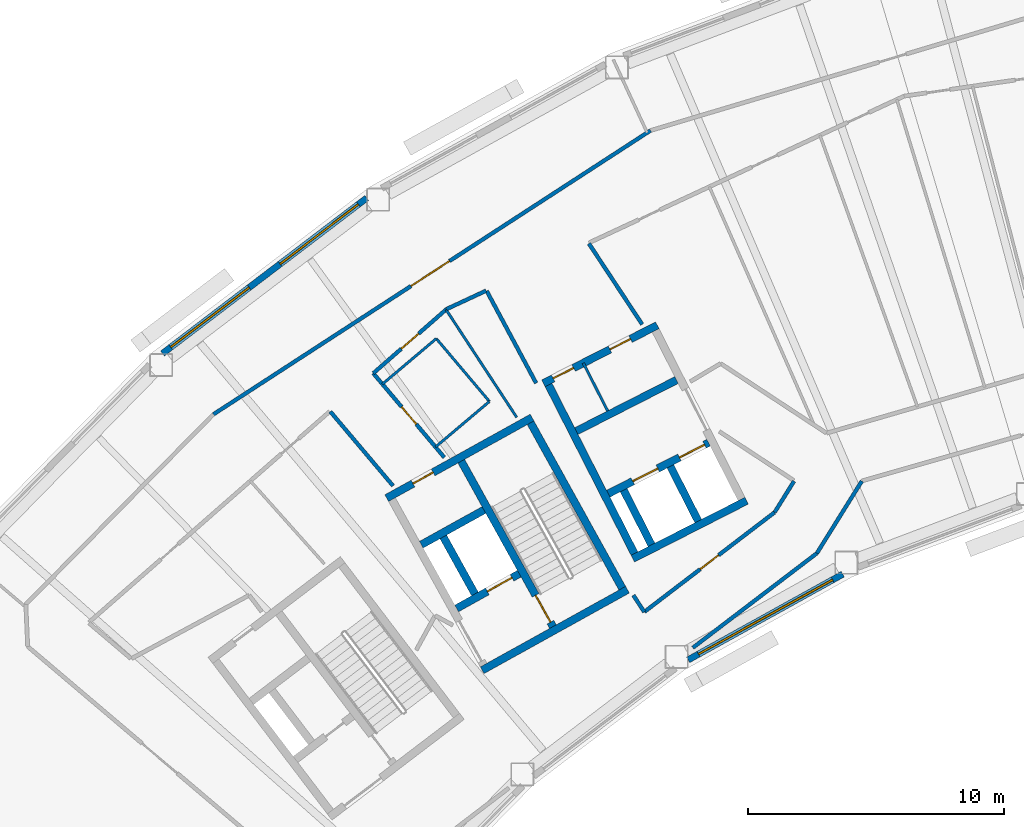
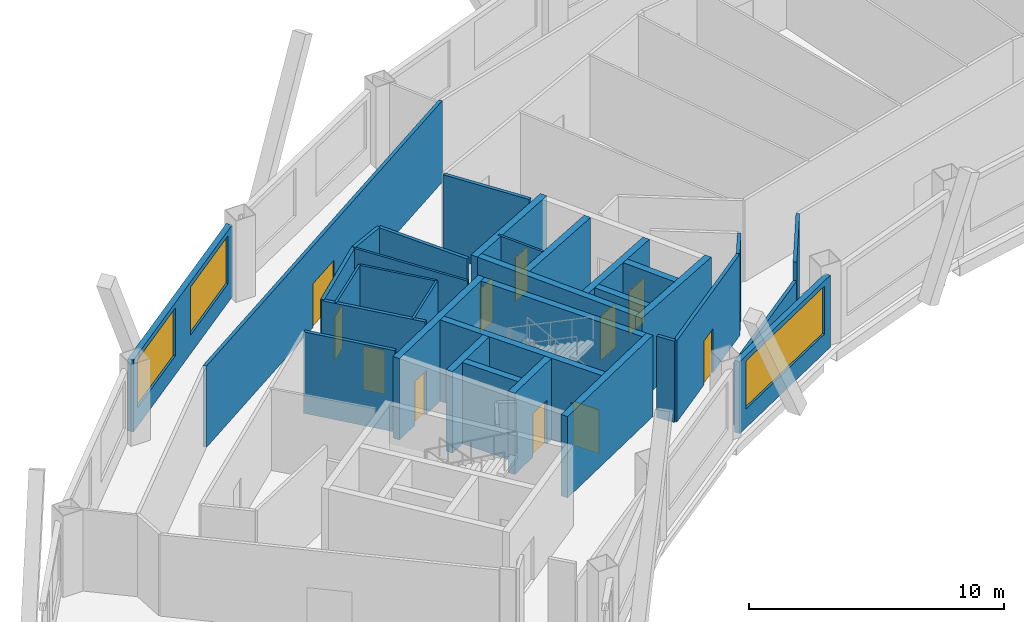
# One storey, part 6 of 15: 33 walls, 11 doors, 3 windows, 14 openings.
"""IFC4 building model written with IfcOpenShell, lengths in metres."""

from ifc_helpers import new_model, si_unit, direction, frame, frame_2d, origin, place, context, subcontext, project, spatial, rectangle, extrude, material, layer, layer_set, type_object, element, fill, save


model = new_model("IFC4")

# Units and contexts
model_context = context("Model", 3, precision=1e-05, world=origin(), true_north=direction((0.0, 1.0)))
body_context = subcontext(model_context, "Body", "Model", "MODEL_VIEW")
ifc_project = project(units=[si_unit("LENGTHUNIT", "METRE"), si_unit("AREAUNIT", "SQUARE_METRE"), si_unit("VOLUMEUNIT", "CUBIC_METRE"), si_unit("PLANEANGLEUNIT", "RADIAN"), si_unit("MASSUNIT", "GRAM", prefix="KILO")], contexts=[model_context])

# Site, building, storey
site_placement = place(None, origin())
site = spatial("IfcSite", under=ifc_project, at=site_placement, CompositionType="ELEMENT")
building_placement = place(site_placement, origin())
building = spatial("IfcBuilding", under=site, at=building_placement, Name="Tuul Gate Civic Tower", CompositionType="ELEMENT")
storey_placement = place(building_placement, frame((0.0, 0.0, 226.300048828125)))
storey = spatial("IfcBuildingStorey", under=building, at=storey_placement, Name="Level 51", CompositionType="ELEMENT", Elevation=226.300048828125)

# Wall
ifc_material_1 = material(Name="Concrete C50/60", Category="concrete")
ifc_layer_1 = layer(ifc_material_1, 0.300048828125)
ifc_layer_set_1 = layer_set([ifc_layer_1], Name="Concrete C50/60")
wall_type_1 = type_object("IfcWallType", Name="Core wall C50/60", PredefinedType="SHEAR", material=ifc_layer_set_1)
wall_1_placement = place(storey_placement, frame((-24.711669921875, -8.7158203125, 0.0), z_axis=(0.0, 0.0, 1.0), x_axis=(-0.874629909008, -0.484791215132, 0.0)))
element("IfcWall", 1, at=wall_1_placement, inside=storey, type_object=wall_type_1, Name="Core wall", PredefinedType="SHEAR", context=body_context, shape_type="SweptSolid", body=[
    extrude(rectangle(XDim=6.5, YDim=0.300048828125, at=frame_2d((3.25, 0.0))), origin(), (0.0, 0.0, 1.0), 3.89990234375),
])

# Wall, opening, door
wall_2_placement = place(storey_placement, frame((-28.94580078125, -8.090087890625, 0.0), z_axis=(0.0, 0.0, 1.0), x_axis=(-0.874629840737, -0.484791338301, 0.0)))
wall_2 = element("IfcWall", 2, at=wall_2_placement, inside=storey, type_object=wall_type_1, Name="Core wall", PredefinedType="SHEAR", context=body_context, shape_type="SweptSolid", body=[
    extrude(rectangle(XDim=2.800048828125, YDim=0.300048828125, at=frame_2d((1.39990234375, 0.0))), origin(), (0.0, 0.0, 1.0), 3.89990234375),
])
opening_1_placement = place(wall_2_placement, frame((0.324951171875, 0.0, 0.0)))
opening_1 = element("IfcOpeningElement", 3, at=opening_1_placement, cuts=wall_2, Name="Opening LD-FF-1", PredefinedType="OPENING", context=body_context, shape_type="SweptSolid", body=[
    extrude(rectangle(XDim=1.10009765625, YDim=2.10009765625, at=frame_2d((0.550048828125, 1.050048828125))), frame((0.0, 0.16015625, 0.0), z_axis=(0.0, -1.0, 0.0), x_axis=(1.0, 0.0, 0.0)), (0.0, 0.0, 1.0), 0.320068359375),
])
ifc_material_2 = material(Name="Stainless steel", Category="steel")
door_type_1 = type_object("IfcDoorType", Name="Landing door", OperationType="DOUBLE_DOOR_SLIDING", PredefinedType="DOOR", material=ifc_material_2)
door_1_placement = place(opening_1_placement, origin())
door_1 = element("IfcDoor", 4, at=door_1_placement, inside=storey, type_object=door_type_1, Name="Fire-fighting lift FF-1 landing door", OperationType="DOUBLE_DOOR_SLIDING", OverallHeight=2.10009765625, OverallWidth=1.10009765625, PredefinedType="DOOR", context=body_context, shape_type="SweptSolid", body=[
    extrude(rectangle(XDim=1.10009765625, YDim=2.10009765625, at=frame_2d((0.550048828125, 1.050048828125))), frame((0.0, 0.02490234375, 0.0), z_axis=(0.0, -1.0, 0.0), x_axis=(1.0, 0.0, 0.0)), (0.0, 0.0, 1.0), 0.050048828125),
])
fill(opening_1, door_1)

# Wall
wall_3_placement = place(storey_placement, frame((-30.327392578125, -5.59716796875, 0.0), z_axis=(0.0, 0.0, 1.0), x_axis=(-0.874629840737, -0.484791338301, 0.0)))
element("IfcWall", 5, at=wall_3_placement, inside=storey, type_object=wall_type_1, Name="Core wall", PredefinedType="SHEAR", context=body_context, shape_type="SweptSolid", body=[
    extrude(rectangle(XDim=2.800048828125, YDim=0.300048828125, at=frame_2d((1.39990234375, 0.0))), origin(), (0.0, 0.0, 1.0), 3.89990234375),
])

# Wall, opening, door
wall_4_placement = place(storey_placement, frame((-28.4443359375, -1.98095703125, 0.0), z_axis=(0.0, 0.0, 1.0), x_axis=(-0.874629909008, -0.484791215132, 0.0)))
wall_4 = element("IfcWall", 6, at=wall_4_placement, inside=storey, type_object=wall_type_1, Name="Core wall", PredefinedType="SHEAR", context=body_context, shape_type="SweptSolid", body=[
    extrude(rectangle(XDim=6.5, YDim=0.300048828125, at=frame_2d((3.25, 0.0))), origin(), (0.0, 0.0, 1.0), 3.89990234375),
])
opening_2_placement = place(wall_4_placement, frame((4.425048828125, 0.0, 0.0)))
opening_2 = element("IfcOpeningElement", 7, at=opening_2_placement, cuts=wall_4, Name="Opening R-D44", PredefinedType="OPENING", context=body_context, shape_type="SweptSolid", body=[
    extrude(rectangle(XDim=0.89990234375, YDim=2.10009765625, at=frame_2d((0.449951171875, 1.050048828125))), frame((0.0, 0.16015625, 0.0), z_axis=(0.0, -1.0, 0.0), x_axis=(1.0, 0.0, 0.0)), (0.0, 0.0, 1.0), 0.320068359375),
])
ifc_material_3 = material(Name="Timber door leaf", Category="wood")
door_type_2 = type_object("IfcDoorType", Name="Door D09", OperationType="NOTDEFINED", PredefinedType="DOOR", material=ifc_material_3)
door_2_placement = place(opening_2_placement, origin())
door_2 = element("IfcDoor", 8, at=door_2_placement, inside=storey, type_object=door_type_2, Name="Door R-D44", OperationType="SINGLE_SWING_LEFT", OverallHeight=2.10009765625, OverallWidth=0.89990234375, PredefinedType="DOOR", context=body_context, shape_type="SweptSolid", body=[
    extrude(rectangle(XDim=0.89990234375, YDim=2.10009765625, at=frame_2d((0.449951171875, 1.050048828125))), frame((0.0, 0.02490234375, 0.0), z_axis=(0.0, -1.0, 0.0), x_axis=(1.0, 0.0, 0.0)), (0.0, 0.0, 1.0), 0.050048828125),
])
fill(opening_2, door_2)

# Wall
wall_5_placement = place(storey_placement, frame((-24.91552734375, -8.6572265625, 0.0), z_axis=(0.0, 0.0, 1.0), x_axis=(-0.484777133038, 0.874637714304, 0.0)))
element("IfcWall", 9, at=wall_5_placement, inside=storey, type_object=wall_type_1, Name="Core wall", PredefinedType="SHEAR", context=body_context, shape_type="SweptSolid", body=[
    extrude(rectangle(XDim=7.400146484375, YDim=0.300048828125, at=frame_2d((3.7001953125, 0.0))), origin(), (0.0, 0.0, 1.0), 3.89990234375),
])

# Wall, opening, door
wall_6_placement = place(storey_placement, frame((-27.626953125, -10.16015625, 0.0), z_axis=(0.0, 0.0, 1.0), x_axis=(-0.484751894226, 0.874651702704, 0.0)))
wall_6 = element("IfcWall", 10, at=wall_6_placement, inside=storey, type_object=wall_type_1, Name="Core wall", PredefinedType="SHEAR", context=body_context, shape_type="SweptSolid", body=[
    extrude(rectangle(XDim=7.39990234375, YDim=0.300048828125, at=frame_2d((3.699951171875, 0.0))), origin(), (0.0, 0.0, 1.0), 3.89990234375),
])
opening_3_placement = place(wall_6_placement, frame((0.199951171875, 0.0, 0.0)))
opening_3 = element("IfcOpeningElement", 11, at=opening_3_placement, cuts=wall_6, Name="Opening SD-ST-2", PredefinedType="OPENING", context=body_context, shape_type="SweptSolid", body=[
    extrude(rectangle(XDim=1.199951171875, YDim=2.10009765625, at=frame_2d((0.60009765625, 1.050048828125))), frame((0.0, 0.16015625, 0.0), z_axis=(0.0, -1.0, 0.0), x_axis=(1.0, 0.0, 0.0)), (0.0, 0.0, 1.0), 0.320068359375),
])
ifc_material_4 = material(Name="Steel", Category="steel")
door_type_3 = type_object("IfcDoorType", Name="Stair door", OperationType="NOTDEFINED", PredefinedType="DOOR", material=ifc_material_4)
door_3_placement = place(opening_3_placement, origin())
door_3 = element("IfcDoor", 12, at=door_3_placement, inside=storey, type_object=door_type_3, Name="Stair door ST-2", OperationType="SINGLE_SWING_LEFT", OverallHeight=2.10009765625, OverallWidth=1.199951171875, PredefinedType="DOOR", context=body_context, shape_type="SweptSolid", body=[
    extrude(rectangle(XDim=1.199951171875, YDim=2.10009765625, at=frame_2d((0.60009765625, 1.050048828125))), frame((0.0, 0.02490234375, 0.0), z_axis=(0.0, -1.0, 0.0), x_axis=(1.0, 0.0, 0.0)), (0.0, 0.0, 1.0), 0.050048828125),
])
fill(opening_3, door_3)

# Wall
wall_7_placement = place(storey_placement, frame((-30.680419921875, -8.8798828125, 0.0), z_axis=(0.0, 0.0, 1.0), x_axis=(-0.484724115216, 0.874667097888, 0.0)))
element("IfcWall", 13, at=wall_7_placement, inside=storey, type_object=wall_type_1, Name="Core wall", PredefinedType="SHEAR", context=body_context, shape_type="SweptSolid", body=[
    extrude(rectangle(XDim=2.550048828125, YDim=0.300048828125, at=frame_2d((1.27490234375, 0.0))), origin(), (0.0, 0.0, 1.0), 3.89990234375),
])

# Wall, opening, door
ifc_material_5 = material(Name="Gypsum board partition")
ifc_layer_2 = layer(ifc_material_5, 0.14990234375)
ifc_layer_set_2 = layer_set([ifc_layer_2], Name="Gypsum board partition")
wall_type_2 = type_object("IfcWallType", Name="Corridor wall P150", PredefinedType="PARTITIONING", material=ifc_layer_set_2)
wall_8_placement = place(storey_placement, frame((-40.91259765625, -1.85595703125, 0.0), z_axis=(0.0, 0.0, 1.0), x_axis=(0.838694654804, 0.54460194271, 0.0)))
wall_8 = element("IfcWall", 14, at=wall_8_placement, inside=storey, type_object=wall_type_2, Name="p014", PredefinedType="PARTITIONING", context=body_context, shape_type="SweptSolid", body=[
    extrude(rectangle(XDim=20.39013671875, YDim=0.14990234375, at=frame_2d((10.195068359375, 0.0))), origin(), (0.0, 0.0, 1.0), 3.89990234375),
])
opening_4_placement = place(wall_8_placement, frame((9.218017578125, 0.0, 0.0)))
opening_4 = element("IfcOpeningElement", 15, at=opening_4_placement, cuts=wall_8, Name="Opening R-D05", PredefinedType="OPENING", context=body_context, shape_type="SweptSolid", body=[
    extrude(rectangle(XDim=1.800048828125, YDim=2.10009765625, at=frame_2d((0.89990234375, 1.050048828125))), frame((0.0, 0.0849609375, 0.0), z_axis=(0.0, -1.0, 0.0), x_axis=(1.0, 0.0, 0.0)), (0.0, 0.0, 1.0), 0.169921875),
])
ifc_material_6 = material(Name="Timber door leaf, double", Category="wood")
door_type_4 = type_object("IfcDoorType", Name="Door D18", OperationType="DOUBLE_DOOR_SINGLE_SWING", PredefinedType="DOOR", material=ifc_material_6)
door_4_placement = place(opening_4_placement, origin())
door_4 = element("IfcDoor", 16, at=door_4_placement, inside=storey, type_object=door_type_4, Name="Door R-D05", OperationType="DOUBLE_DOOR_SINGLE_SWING", OverallHeight=2.10009765625, OverallWidth=1.800048828125, PredefinedType="DOOR", context=body_context, shape_type="SweptSolid", body=[
    extrude(rectangle(XDim=1.800048828125, YDim=2.10009765625, at=frame_2d((0.89990234375, 1.050048828125))), frame((0.0, 0.02490234375, 0.0), z_axis=(0.0, -1.0, 0.0), x_axis=(1.0, 0.0, 0.0)), (0.0, 0.0, 1.0), 0.050048828125),
])
fill(opening_4, door_4)

# Walls
wall_9_placement = place(storey_placement, frame((-17.30126953125, -7.2890625, 0.0), z_axis=(0.0, 0.0, 1.0), x_axis=(0.528856076926, 0.848711523368, 0.0)))
element("IfcWall", 17, at=wall_9_placement, inside=storey, type_object=wall_type_2, Name="p039", PredefinedType="PARTITIONING", context=body_context, shape_type="SweptSolid", body=[
    extrude(rectangle(XDim=3.3232421875, YDim=0.14990234375, at=frame_2d((1.66162109375, 0.0))), origin(), (0.0, 0.0, 1.0), 3.89990234375),
])
wall_10_placement = place(storey_placement, frame((-31.78955078125, 2.26220703125, 0.0), z_axis=(0.0, 0.0, 1.0), x_axis=(0.906552739591, 0.422092561341, 0.0)))
element("IfcWall", 18, at=wall_10_placement, inside=storey, type_object=wall_type_2, Name="p082", PredefinedType="PARTITIONING", context=body_context, shape_type="SweptSolid", body=[
    extrude(rectangle(XDim=1.702880859375, YDim=0.14990234375, at=frame_2d((0.8515625, 0.0))), origin(), (0.0, 0.0, 1.0), 3.89990234375),
])
wall_11_placement = place(storey_placement, frame((-26.22119140625, 4.828857421875, 0.0), z_axis=(0.0, 0.0, 1.0), x_axis=(0.550321528377, -0.834952822263, 0.0)))
element("IfcWall", 19, at=wall_11_placement, inside=storey, type_object=wall_type_2, Name="p087", PredefinedType="PARTITIONING", context=body_context, shape_type="SweptSolid", body=[
    extrude(rectangle(XDim=3.78955078125, YDim=0.14990234375, at=frame_2d((1.894775390625, 0.0))), origin(), (0.0, 0.0, 1.0), 3.89990234375),
])
wall_12_placement = place(storey_placement, frame((-24.482421875, -8.931640625, 0.0), z_axis=(0.0, 0.0, 1.0), x_axis=(0.548342642764, -0.836253757018, 0.0)))
element("IfcWall", 20, at=wall_12_placement, inside=storey, type_object=wall_type_2, Name="p089", PredefinedType="PARTITIONING", context=body_context, shape_type="SweptSolid", body=[
    extrude(rectangle(XDim=0.78173828125, YDim=0.14990234375, at=frame_2d((0.390869140625, 0.0))), origin(), (0.0, 0.0, 1.0), 3.89990234375),
])

# Wall, opening, door
wall_13_placement = place(storey_placement, frame((-34.65625, -0.24853515625, 0.0), z_axis=(0.0, 0.0, 1.0), x_axis=(0.752267052032, 0.658858317416, 0.0)))
wall_13 = element("IfcWall", 21, at=wall_13_placement, inside=storey, type_object=wall_type_2, Name="p091", PredefinedType="PARTITIONING", context=body_context, shape_type="SweptSolid", body=[
    extrude(rectangle(XDim=3.810791015625, YDim=0.14990234375, at=frame_2d((1.9052734375, 0.0))), origin(), (0.0, 0.0, 1.0), 3.89990234375),
])
opening_5_placement = place(wall_13_placement, frame((1.455322265625, 0.0, 0.0)))
opening_5 = element("IfcOpeningElement", 22, at=opening_5_placement, cuts=wall_13, Name="Opening R-D42", PredefinedType="OPENING", context=body_context, shape_type="SweptSolid", body=[
    extrude(rectangle(XDim=0.89990234375, YDim=2.10009765625, at=frame_2d((0.449951171875, 1.050048828125))), frame((0.0, 0.0849609375, 0.0), z_axis=(0.0, -1.0, 0.0), x_axis=(1.0, 0.0, 0.0)), (0.0, 0.0, 1.0), 0.169921875),
])
door_5_placement = place(opening_5_placement, origin())
door_5 = element("IfcDoor", 23, at=door_5_placement, inside=storey, type_object=door_type_2, Name="Door R-D42", OperationType="SINGLE_SWING_RIGHT", OverallHeight=2.10009765625, OverallWidth=0.89990234375, PredefinedType="DOOR", context=body_context, shape_type="SweptSolid", body=[
    extrude(rectangle(XDim=0.89990234375, YDim=2.10009765625, at=frame_2d((0.449951171875, 1.050048828125))), frame((0.0, 0.02490234375, 0.0), z_axis=(0.0, -1.0, 0.0), x_axis=(1.0, 0.0, 0.0)), (0.0, 0.0, 1.0), 0.050048828125),
])
fill(opening_5, door_5)

# Walls
wall_14_placement = place(storey_placement, frame((-30.21923828125, 2.971923828125, 0.0), z_axis=(0.0, 0.0, 1.0), x_axis=(0.472839183622, -0.881148742513, 0.0)))
element("IfcWall", 24, at=wall_14_placement, inside=storey, type_object=wall_type_2, Name="p092", PredefinedType="PARTITIONING", context=body_context, shape_type="SweptSolid", body=[
    extrude(rectangle(XDim=4.08984375, YDim=0.14990234375, at=frame_2d((2.044921875, 0.0))), origin(), (0.0, 0.0, 1.0), 3.89990234375),
])
wall_15_placement = place(storey_placement, frame((-18.952392578125, -5.684326171875, 0.0), z_axis=(0.0, 0.0, 1.0), x_axis=(0.528862582225, 0.848707469699, 0.0)))
element("IfcWall", 25, at=wall_15_placement, inside=storey, type_object=wall_type_2, Name="p094", PredefinedType="PARTITIONING", context=body_context, shape_type="SweptSolid", body=[
    extrude(rectangle(XDim=1.4296875, YDim=0.14990234375, at=frame_2d((0.71484375, 0.0))), origin(), (0.0, 0.0, 1.0), 3.89990234375),
])

# Wall, opening, door
wall_16_placement = place(storey_placement, frame((-24.0537109375, -9.58544921875, 0.0), z_axis=(0.0, 0.0, 1.0), x_axis=(0.794499344457, 0.607265009413, 0.0)))
wall_16 = element("IfcWall", 26, at=wall_16_placement, inside=storey, type_object=wall_type_2, Name="p095", PredefinedType="PARTITIONING", context=body_context, shape_type="SweptSolid", body=[
    extrude(rectangle(XDim=6.4140625, YDim=0.14990234375, at=frame_2d((3.20703125, 0.0))), origin(), (0.0, 0.0, 1.0), 3.89990234375),
])
opening_6_placement = place(wall_16_placement, frame((2.757080078125, 0.0, 0.0)))
opening_6 = element("IfcOpeningElement", 27, at=opening_6_placement, cuts=wall_16, Name="Opening R-D34", PredefinedType="OPENING", context=body_context, shape_type="SweptSolid", body=[
    extrude(rectangle(XDim=0.89990234375, YDim=2.10009765625, at=frame_2d((0.449951171875, 1.050048828125))), frame((0.0, 0.0849609375, 0.0), z_axis=(0.0, -1.0, 0.0), x_axis=(1.0, 0.0, 0.0)), (0.0, 0.0, 1.0), 0.169921875),
])
door_6_placement = place(opening_6_placement, origin())
door_6 = element("IfcDoor", 28, at=door_6_placement, inside=storey, type_object=door_type_2, Name="Door R-D34", OperationType="SINGLE_SWING_RIGHT", OverallHeight=2.10009765625, OverallWidth=0.89990234375, PredefinedType="DOOR", context=body_context, shape_type="SweptSolid", body=[
    extrude(rectangle(XDim=0.89990234375, YDim=2.10009765625, at=frame_2d((0.449951171875, 1.050048828125))), frame((0.0, 0.02490234375, 0.0), z_axis=(0.0, -1.0, 0.0), x_axis=(1.0, 0.0, 0.0)), (0.0, 0.0, 1.0), 0.050048828125),
])
fill(opening_6, door_6)

wall_17_placement = place(storey_placement, frame((-34.65625, -0.24853515625, 0.0), z_axis=(0.0, 0.0, 1.0), x_axis=(0.645164646928, -0.764043570979, 0.0)))
wall_17 = element("IfcWall", 29, at=wall_17_placement, inside=storey, type_object=wall_type_2, Name="p097", PredefinedType="PARTITIONING", context=body_context, shape_type="SweptSolid", body=[
    extrude(rectangle(XDim=4.30859375, YDim=0.14990234375, at=frame_2d((2.154296875, 0.0))), origin(), (0.0, 0.0, 1.0), 3.89990234375),
])
opening_7_placement = place(wall_17_placement, frame((1.714111328125, 0.0, 0.0)))
opening_7 = element("IfcOpeningElement", 30, at=opening_7_placement, cuts=wall_17, Name="Opening R-D35", PredefinedType="OPENING", context=body_context, shape_type="SweptSolid", body=[
    extrude(rectangle(XDim=0.89990234375, YDim=2.10009765625, at=frame_2d((0.449951171875, 1.050048828125))), frame((0.0, 0.0849609375, 0.0), z_axis=(0.0, -1.0, 0.0), x_axis=(1.0, 0.0, 0.0)), (0.0, 0.0, 1.0), 0.169921875),
])
door_7_placement = place(opening_7_placement, origin())
door_7 = element("IfcDoor", 31, at=door_7_placement, inside=storey, type_object=door_type_2, Name="Door R-D35", OperationType="SINGLE_SWING_RIGHT", OverallHeight=2.10009765625, OverallWidth=0.89990234375, PredefinedType="DOOR", context=body_context, shape_type="SweptSolid", body=[
    extrude(rectangle(XDim=0.89990234375, YDim=2.10009765625, at=frame_2d((0.449951171875, 1.050048828125))), frame((0.0, 0.02490234375, 0.0), z_axis=(0.0, -1.0, 0.0), x_axis=(1.0, 0.0, 0.0)), (0.0, 0.0, 1.0), 0.050048828125),
])
fill(opening_7, door_7)

# Walls
wall_18_placement = place(storey_placement, frame((-36.335693359375, -1.747314453125, 0.0), z_axis=(0.0, 0.0, 1.0), x_axis=(0.645204975868, -0.764009515069, 0.0)))
element("IfcWall", 32, at=wall_18_placement, inside=storey, type_object=wall_type_2, Name="p102", PredefinedType="PARTITIONING", context=body_context, shape_type="SweptSolid", body=[
    extrude(rectangle(XDim=3.8017578125, YDim=0.14990234375, at=frame_2d((1.90087890625, 0.0))), origin(), (0.0, 0.0, 1.0), 3.89990234375),
])
ifc_material_7 = material(Name="Gypsum board partition")
ifc_layer_3 = layer(ifc_material_7, 0.14990234375)
ifc_layer_set_3 = layer_set([ifc_layer_3], Name="Gypsum board partition")
wall_type_3 = type_object("IfcWallType", Name="Corridor wall P150 3000 HIGH", PredefinedType="PARTITIONING", material=ifc_layer_set_3)
wall_19_placement = place(storey_placement, frame((-22.156005859375, -10.98828125, 0.0), z_axis=(0.0, 0.0, 1.0), x_axis=(0.795349073888, 0.606151672988, 0.0)))
element("IfcWall", 33, at=wall_19_placement, inside=storey, type_object=wall_type_3, Name="p023", PredefinedType="PARTITIONING", context=body_context, shape_type="SweptSolid", body=[
    extrude(rectangle(XDim=6.103515625, YDim=0.14990234375, at=frame_2d((3.0517578125, 0.0))), origin(), (0.0, 0.0, 1.0), 3.0),
])

# Wall, openings, windows
ifc_material_8 = material(Name="Precast concrete C40/50", Category="concrete")
ifc_layer_4 = layer(ifc_material_8, 0.25)
ifc_layer_set_4 = layer_set([ifc_layer_4], Name="Precast concrete C40/50")
wall_type_4 = type_object("IfcWallType", Name="External wall", PredefinedType="STANDARD", material=ifc_layer_set_4)
wall_20_placement = place(storey_placement, frame((-34.9130859375, 6.608642578125, 0.0), z_axis=(0.0, 0.0, 1.0), x_axis=(-0.795599673756, -0.605822712615, 0.0)))
wall_20 = element("IfcWall", 34, at=wall_20_placement, inside=storey, type_object=wall_type_4, Name="External wall", PredefinedType="STANDARD", context=body_context, shape_type="SweptSolid", body=[
    extrude(rectangle(XDim=10.0419921875, YDim=0.25, at=frame_2d((5.02099609375, 0.0))), origin(), (0.0, 0.0, 1.0), 3.449951171875),
])
opening_8_placement = place(wall_20_placement, frame((0.4091796875, 0.0, 0.89990234375)))
opening_8 = element("IfcOpeningElement", 35, at=opening_8_placement, cuts=wall_20, Name="Opening W22", PredefinedType="OPENING", context=body_context, shape_type="SweptSolid", body=[
    extrude(rectangle(XDim=3.85009765625, YDim=2.300048828125, at=frame_2d((1.925048828125, 1.14990234375))), frame((0.0, 0.135009765625, 0.0), z_axis=(0.0, -1.0, 0.0), x_axis=(1.0, 0.0, 0.0)), (0.0, 0.0, 1.0), 0.27001953125),
])
opening_9_placement = place(wall_20_placement, frame((5.780517578125, 0.0, 0.89990234375)))
opening_9 = element("IfcOpeningElement", 36, at=opening_9_placement, cuts=wall_20, Name="Opening W22", PredefinedType="OPENING", context=body_context, shape_type="SweptSolid", body=[
    extrude(rectangle(XDim=3.85009765625, YDim=2.300048828125, at=frame_2d((1.925048828125, 1.14990234375))), frame((0.0, 0.135009765625, 0.0), z_axis=(0.0, -1.0, 0.0), x_axis=(1.0, 0.0, 0.0)), (0.0, 0.0, 1.0), 0.27001953125),
])
ifc_material_9 = material(Name="Glass", Category="glass")
window_type_1 = type_object("IfcWindowType", Name="Window W22 3850 x 2300", PartitioningType="SINGLE_PANEL", PredefinedType="WINDOW", material=ifc_material_9)
window_1_placement = place(opening_8_placement, origin())
window_1 = element("IfcWindow", 37, at=window_1_placement, inside=storey, type_object=window_type_1, Name="Window", OverallHeight=2.300048828125, OverallWidth=3.85009765625, PartitioningType="SINGLE_PANEL", PredefinedType="WINDOW", context=body_context, shape_type="SweptSolid", body=[
    extrude(rectangle(XDim=3.85009765625, YDim=2.300048828125, at=frame_2d((1.925048828125, 1.14990234375))), frame((0.0, 0.030029296875, 0.0), z_axis=(0.0, -1.0, 0.0), x_axis=(1.0, 0.0, 0.0)), (0.0, 0.0, 1.0), 0.06005859375),
])
fill(opening_8, window_1)
window_2_placement = place(opening_9_placement, origin())
window_2 = element("IfcWindow", 38, at=window_2_placement, inside=storey, type_object=window_type_1, Name="Window", OverallHeight=2.300048828125, OverallWidth=3.85009765625, PartitioningType="SINGLE_PANEL", PredefinedType="WINDOW", context=body_context, shape_type="SweptSolid", body=[
    extrude(rectangle(XDim=3.85009765625, YDim=2.300048828125, at=frame_2d((1.925048828125, 1.14990234375))), frame((0.0, 0.030029296875, 0.0), z_axis=(0.0, -1.0, 0.0), x_axis=(1.0, 0.0, 0.0)), (0.0, 0.0, 1.0), 0.06005859375),
])
fill(opening_9, window_2)

# Wall, opening, window
wall_21_placement = place(storey_placement, frame((-22.3369140625, -11.46044921875, 0.0), z_axis=(0.0, 0.0, 1.0), x_axis=(0.874618182136, 0.484812371416, 0.0)))
wall_21 = element("IfcWall", 39, at=wall_21_placement, inside=storey, type_object=wall_type_4, Name="External wall", PredefinedType="STANDARD", context=body_context, shape_type="SweptSolid", body=[
    extrude(rectangle(XDim=6.9150390625, YDim=0.25, at=frame_2d((3.45751953125, 0.0))), origin(), (0.0, 0.0, 1.0), 3.449951171875),
])
opening_10_placement = place(wall_21_placement, frame((0.4619140625, 0.0, 0.89990234375)))
opening_10 = element("IfcOpeningElement", 40, at=opening_10_placement, cuts=wall_21, Name="Opening W26", PredefinedType="OPENING", context=body_context, shape_type="SweptSolid", body=[
    extrude(rectangle(XDim=6.0, YDim=2.300048828125, at=frame_2d((3.0, 1.14990234375))), frame((0.0, 0.135009765625, 0.0), z_axis=(0.0, -1.0, 0.0), x_axis=(1.0, 0.0, 0.0)), (0.0, 0.0, 1.0), 0.27001953125),
])
ifc_material_10 = material(Name="Glass", Category="glass")
window_type_2 = type_object("IfcWindowType", Name="Window W26 6000 x 2300", PartitioningType="SINGLE_PANEL", PredefinedType="WINDOW", material=ifc_material_10)
window_3_placement = place(opening_10_placement, origin())
window_3 = element("IfcWindow", 41, at=window_3_placement, inside=storey, type_object=window_type_2, Name="Window", OverallHeight=2.300048828125, OverallWidth=6.0, PartitioningType="SINGLE_PANEL", PredefinedType="WINDOW", context=body_context, shape_type="SweptSolid", body=[
    extrude(rectangle(XDim=6.0, YDim=2.300048828125, at=frame_2d((3.0, 1.14990234375))), frame((0.0, 0.030029296875, 0.0), z_axis=(0.0, -1.0, 0.0), x_axis=(1.0, 0.0, 0.0)), (0.0, 0.0, 1.0), 0.06005859375),
])
fill(opening_10, window_3)

# Wall
ifc_material_11 = material(Name="Concrete C40/50", Category="concrete")
ifc_layer_5 = layer(ifc_material_11, 0.300048828125)
ifc_layer_set_5 = layer_set([ifc_layer_5], Name="Concrete C40/50")
wall_type_5 = type_object("IfcWallType", Name="Lift shaft wall C40/50", PredefinedType="STANDARD", material=ifc_layer_set_5)
wall_22_placement = place(storey_placement, frame((-20.049072265625, -5.232421875, 0.0), z_axis=(0.0, 0.0, 1.0), x_axis=(-0.891002976909, -0.453997461601, 0.0)))
element("IfcWall", 42, at=wall_22_placement, inside=storey, type_object=wall_type_5, Name="Shaft wall", PredefinedType="STANDARD", context=body_context, shape_type="SweptSolid", body=[
    extrude(rectangle(XDim=5.0, YDim=0.300048828125, at=frame_2d((2.5, 0.0))), origin(), (0.0, 0.0, 1.0), 3.89990234375),
])

# Wall, openings, doors
wall_23_placement = place(storey_placement, frame((-21.542236328125, -2.962890625, 0.0), z_axis=(0.0, 0.0, 1.0), x_axis=(-0.891005618941, -0.453992276384, 0.0)))
wall_23 = element("IfcWall", 43, at=wall_23_placement, inside=storey, type_object=wall_type_5, Name="Shaft wall", PredefinedType="STANDARD", context=body_context, shape_type="SweptSolid", body=[
    extrude(rectangle(XDim=4.39990234375, YDim=0.300048828125, at=frame_2d((2.199951171875, 0.0))), origin(), (0.0, 0.0, 1.0), 3.89990234375),
])
opening_11_placement = place(wall_23_placement, frame((0.175048828125, 0.0, 0.0)))
opening_11 = element("IfcOpeningElement", 44, at=opening_11_placement, cuts=wall_23, Name="Opening LD-M1", PredefinedType="OPENING", context=body_context, shape_type="SweptSolid", body=[
    extrude(rectangle(XDim=1.10009765625, YDim=2.10009765625, at=frame_2d((0.550048828125, 1.050048828125))), frame((0.0, 0.16015625, 0.0), z_axis=(0.0, -1.0, 0.0), x_axis=(1.0, 0.0, 0.0)), (0.0, 0.0, 1.0), 0.320068359375),
])
opening_12_placement = place(wall_23_placement, frame((2.22509765625, 0.0, 0.0)))
opening_12 = element("IfcOpeningElement", 45, at=opening_12_placement, cuts=wall_23, Name="Opening LD-M2", PredefinedType="OPENING", context=body_context, shape_type="SweptSolid", body=[
    extrude(rectangle(XDim=1.10009765625, YDim=2.10009765625, at=frame_2d((0.550048828125, 1.050048828125))), frame((0.0, 0.16015625, 0.0), z_axis=(0.0, -1.0, 0.0), x_axis=(1.0, 0.0, 0.0)), (0.0, 0.0, 1.0), 0.320068359375),
])
door_8_placement = place(opening_11_placement, origin())
door_8 = element("IfcDoor", 46, at=door_8_placement, inside=storey, type_object=door_type_1, Name="Mid-rise lift M1 landing door", OperationType="DOUBLE_DOOR_SLIDING", OverallHeight=2.10009765625, OverallWidth=1.10009765625, PredefinedType="DOOR", context=body_context, shape_type="SweptSolid", body=[
    extrude(rectangle(XDim=1.10009765625, YDim=2.10009765625, at=frame_2d((0.550048828125, 1.050048828125))), frame((0.0, 0.02490234375, 0.0), z_axis=(0.0, -1.0, 0.0), x_axis=(1.0, 0.0, 0.0)), (0.0, 0.0, 1.0), 0.050048828125),
])
fill(opening_11, door_8)
door_9_placement = place(opening_12_placement, origin())
door_9 = element("IfcDoor", 47, at=door_9_placement, inside=storey, type_object=door_type_1, Name="Mid-rise lift M2 landing door", OperationType="DOUBLE_DOOR_SLIDING", OverallHeight=2.10009765625, OverallWidth=1.10009765625, PredefinedType="DOOR", context=body_context, shape_type="SweptSolid", body=[
    extrude(rectangle(XDim=1.10009765625, YDim=2.10009765625, at=frame_2d((0.550048828125, 1.050048828125))), frame((0.0, 0.02490234375, 0.0), z_axis=(0.0, -1.0, 0.0), x_axis=(1.0, 0.0, 0.0)), (0.0, 0.0, 1.0), 0.050048828125),
])
fill(opening_12, door_9)

# Wall
wall_24_placement = place(storey_placement, frame((-22.790771484375, -0.5126953125, 0.0), z_axis=(0.0, 0.0, 1.0), x_axis=(-0.891005618941, -0.453992276384, 0.0)))
element("IfcWall", 48, at=wall_24_placement, inside=storey, type_object=wall_type_5, Name="Shaft wall", PredefinedType="STANDARD", context=body_context, shape_type="SweptSolid", body=[
    extrude(rectangle(XDim=4.39990234375, YDim=0.300048828125, at=frame_2d((2.199951171875, 0.0))), origin(), (0.0, 0.0, 1.0), 3.89990234375),
])

# Wall, openings, doors
wall_25_placement = place(storey_placement, frame((-23.544921875, 1.62841796875, 0.0), z_axis=(0.0, 0.0, 1.0), x_axis=(-0.891002976909, -0.453997461601, 0.0)))
wall_25 = element("IfcWall", 49, at=wall_25_placement, inside=storey, type_object=wall_type_5, Name="Shaft wall", PredefinedType="STANDARD", context=body_context, shape_type="SweptSolid", body=[
    extrude(rectangle(XDim=5.0, YDim=0.300048828125, at=frame_2d((2.5, 0.0))), origin(), (0.0, 0.0, 1.0), 3.89990234375),
])
opening_13_placement = place(wall_25_placement, frame((1.175048828125, 0.0, 0.0)))
opening_13 = element("IfcOpeningElement", 50, at=opening_13_placement, cuts=wall_25, Name="Opening R-D49", PredefinedType="OPENING", context=body_context, shape_type="SweptSolid", body=[
    extrude(rectangle(XDim=0.89990234375, YDim=2.10009765625, at=frame_2d((0.449951171875, 1.050048828125))), frame((0.0, 0.16015625, 0.0), z_axis=(0.0, -1.0, 0.0), x_axis=(1.0, 0.0, 0.0)), (0.0, 0.0, 1.0), 0.320068359375),
])
opening_14_placement = place(wall_25_placement, frame((3.675048828125, 0.0, 0.0)))
opening_14 = element("IfcOpeningElement", 51, at=opening_14_placement, cuts=wall_25, Name="Opening R-D50", PredefinedType="OPENING", context=body_context, shape_type="SweptSolid", body=[
    extrude(rectangle(XDim=0.89990234375, YDim=2.10009765625, at=frame_2d((0.449951171875, 1.050048828125))), frame((0.0, 0.16015625, 0.0), z_axis=(0.0, -1.0, 0.0), x_axis=(1.0, 0.0, 0.0)), (0.0, 0.0, 1.0), 0.320068359375),
])
door_10_placement = place(opening_13_placement, origin())
door_10 = element("IfcDoor", 52, at=door_10_placement, inside=storey, type_object=door_type_2, Name="Door R-D49", OperationType="SINGLE_SWING_RIGHT", OverallHeight=2.10009765625, OverallWidth=0.89990234375, PredefinedType="DOOR", context=body_context, shape_type="SweptSolid", body=[
    extrude(rectangle(XDim=0.89990234375, YDim=2.10009765625, at=frame_2d((0.449951171875, 1.050048828125))), frame((0.0, 0.02490234375, 0.0), z_axis=(0.0, -1.0, 0.0), x_axis=(1.0, 0.0, 0.0)), (0.0, 0.0, 1.0), 0.050048828125),
])
fill(opening_13, door_10)
door_11_placement = place(opening_14_placement, origin())
door_11 = element("IfcDoor", 53, at=door_11_placement, inside=storey, type_object=door_type_2, Name="Door R-D50", OperationType="SINGLE_SWING_LEFT", OverallHeight=2.10009765625, OverallWidth=0.89990234375, PredefinedType="DOOR", context=body_context, shape_type="SweptSolid", body=[
    extrude(rectangle(XDim=0.89990234375, YDim=2.10009765625, at=frame_2d((0.449951171875, 1.050048828125))), frame((0.0, 0.02490234375, 0.0), z_axis=(0.0, -1.0, 0.0), x_axis=(1.0, 0.0, 0.0)), (0.0, 0.0, 1.0), 0.050048828125),
])
fill(opening_14, door_11)

# Walls
for number, where, z_axis, x_axis, name in (
    (54, (-21.94384765625, -6.029296875, 0.0), (0.0, 0.0, 1.0), (-0.45403702923, 0.890982814698, 0.0), "Shaft wall"),
    (55, (-23.770263671875, -6.960205078125, 0.0), (0.0, 0.0, 1.0), (-0.45399587725, 0.891003784189, 0.0), "Shaft wall"),
):
    element("IfcWall", number, at=place(storey_placement, frame(where, z_axis=z_axis, x_axis=x_axis)), inside=storey, type_object=wall_type_5, Name=name, PredefinedType="STANDARD", context=body_context, shape_type="SweptSolid", body=[
        extrude(rectangle(XDim=2.39990234375, YDim=0.300048828125, at=frame_2d((1.199951171875, 0.0))), origin(), (0.0, 0.0, 1.0), 3.89990234375),
    ])
wall_26_placement = place(storey_placement, frame((-24.438720703125, -7.300537109375, 0.0), z_axis=(0.0, 0.0, 1.0), x_axis=(-0.453984101083, 0.891009784438, 0.0)))
element("IfcWall", 56, at=wall_26_placement, inside=storey, type_object=wall_type_5, Name="Shaft wall", PredefinedType="STANDARD", context=body_context, shape_type="SweptSolid", body=[
    extrude(rectangle(XDim=7.399658203125, YDim=0.300048828125, at=frame_2d((3.69970703125, 0.0))), origin(), (0.0, 0.0, 1.0), 3.89990234375),
])
ifc_material_12 = material(Name="Gypsum board partition")
ifc_layer_6 = layer(ifc_material_12, 0.10009765625)
ifc_layer_set_6 = layer_set([ifc_layer_6], Name="Gypsum board partition")
wall_type_6 = type_object("IfcWallType", Name="Partition P100", PredefinedType="PARTITIONING", material=ifc_layer_set_6)
wall_27_placement = place(storey_placement, frame((-31.809814453125, 2.244384765625, 0.0), z_axis=(0.0, 0.0, 1.0), x_axis=(0.54831365658, -0.836272762924, 0.0)))
element("IfcWall", 57, at=wall_27_placement, inside=storey, type_object=wall_type_6, Name="p096", PredefinedType="PARTITIONING", context=body_context, shape_type="SweptSolid", body=[
    extrude(rectangle(XDim=5.041259765625, YDim=0.10009765625, at=frame_2d((2.5205078125, 0.0))), origin(), (0.0, 0.0, 1.0), 3.89990234375),
])
wall_28_placement = place(storey_placement, frame((-34.298828125, -0.671875, 0.0), z_axis=(0.0, 0.0, 1.0), x_axis=(0.7640066599, 0.645208356757, 0.0)))
element("IfcWall", 58, at=wall_28_placement, inside=storey, type_object=wall_type_6, Name="p098", PredefinedType="PARTITIONING", context=body_context, shape_type="SweptSolid", body=[
    extrude(rectangle(XDim=2.760009765625, YDim=0.10009765625, at=frame_2d((1.3798828125, 0.0))), origin(), (0.0, 0.0, 1.0), 3.89990234375),
])
wall_29_placement = place(storey_placement, frame((-32.190185546875, 1.10888671875, 0.0), z_axis=(0.0, 0.0, 1.0), x_axis=(0.645204421607, -0.764009983141, 0.0)))
element("IfcWall", 59, at=wall_29_placement, inside=storey, type_object=wall_type_6, Name="p099", PredefinedType="PARTITIONING", context=body_context, shape_type="SweptSolid", body=[
    extrude(rectangle(XDim=3.22021484375, YDim=0.10009765625, at=frame_2d((1.610107421875, 0.0))), origin(), (0.0, 0.0, 1.0), 3.89990234375),
])
wall_30_placement = place(storey_placement, frame((-32.221435546875, -3.132080078125, 0.0), z_axis=(0.0, 0.0, 1.0), x_axis=(0.764043480441, 0.645164754149, 0.0)))
element("IfcWall", 60, at=wall_30_placement, inside=storey, type_object=wall_type_6, Name="p100", PredefinedType="PARTITIONING", context=body_context, shape_type="SweptSolid", body=[
    extrude(rectangle(XDim=2.76025390625, YDim=0.10009765625, at=frame_2d((1.380126953125, 0.0))), origin(), (0.0, 0.0, 1.0), 3.89990234375),
])
wall_31_placement = place(storey_placement, frame((-25.4873046875, -1.71826171875, 0.0), z_axis=(0.0, 0.0, 1.0), x_axis=(-0.453990218702, 0.891006667384, 0.0)))
element("IfcWall", 61, at=wall_31_placement, inside=storey, type_object=wall_type_6, Name="bW3-BAND-0", PredefinedType="PARTITIONING", context=body_context, shape_type="SweptSolid", body=[
    extrude(rectangle(XDim=2.10009765625, YDim=0.10009765625, at=frame_2d((1.050048828125, 0.0))), origin(), (0.0, 0.0, 1.0), 3.89990234375),
])

save(model, "model.ifc")
